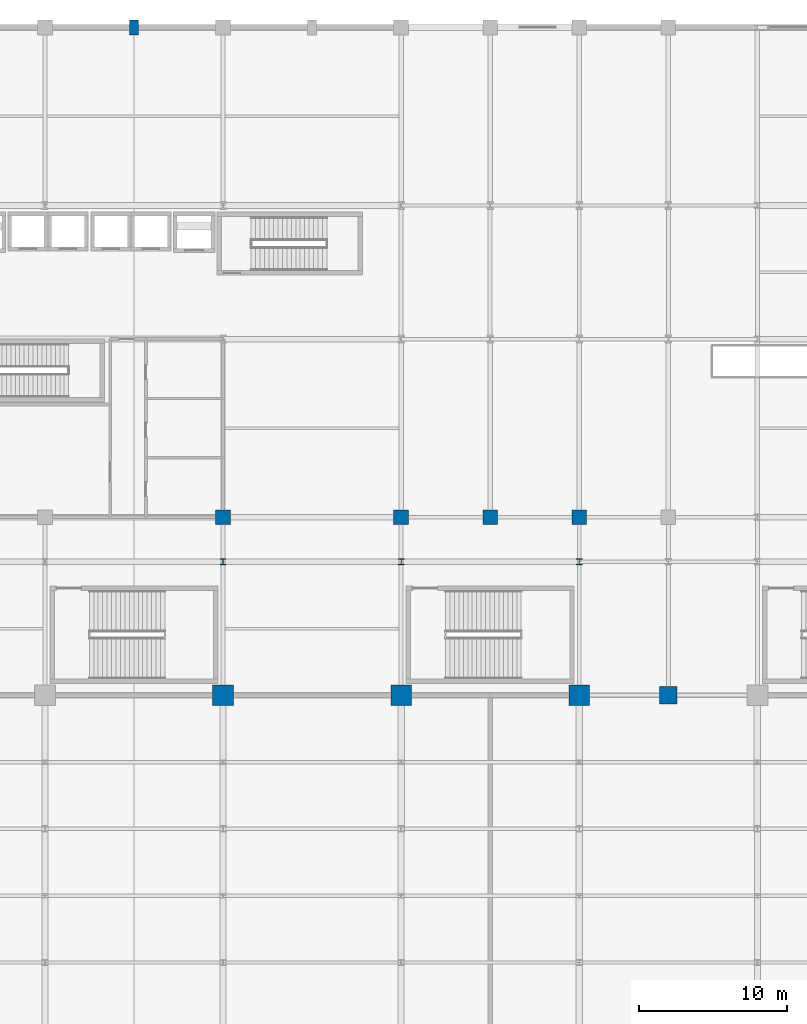
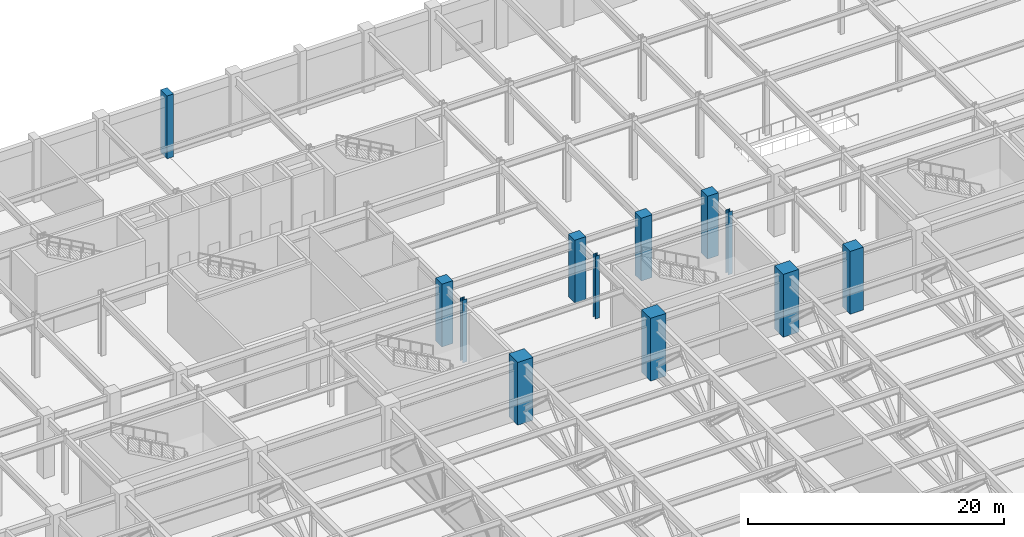
# One storey, part 10 of 108: 12 columns.
"""IFC4 building model written with IfcOpenShell, lengths in metres."""

from ifc_helpers import new_model, si_unit, direction, frame, origin, origin_2d, place, context, subcontext, project, spatial, rectangle, i_section, extrude, material, material_profile, profile_set, type_object, element, save


model = new_model("IFC4")

# Units and contexts
model_context = context("Model", 3, precision=1e-05, world=origin(), true_north=direction((0.0, 1.0)))
body_context = subcontext(model_context, "Body", "Model", "MODEL_VIEW")
ifc_project = project(units=[si_unit("LENGTHUNIT", "METRE"), si_unit("AREAUNIT", "SQUARE_METRE"), si_unit("VOLUMEUNIT", "CUBIC_METRE"), si_unit("PLANEANGLEUNIT", "RADIAN"), si_unit("MASSUNIT", "GRAM", prefix="KILO")], contexts=[model_context])

# Site, building, storey
site_placement = place(None, origin())
site = spatial("IfcSite", under=ifc_project, at=site_placement, CompositionType="ELEMENT")
building_placement = place(site_placement, origin())
building = spatial("IfcBuilding", under=site, at=building_placement, Name="Kaldorvane Square Convention Centre", CompositionType="ELEMENT")
storey_placement = place(building_placement, frame((0.0, 0.0, 12.0)))
storey = spatial("IfcBuildingStorey", under=building, at=storey_placement, Name="L02", CompositionType="ELEMENT", Elevation=12.0)

# Columns
ifc_material_1 = material(Name="Concrete f'c = 55 MPa (Normalweight)", Category="concrete")
ifc_material_profile_1 = material_profile(ifc_material_1, rectangle(XDim=1.1999969482421875, YDim=1.1999969482421875, at=origin_2d()), Name="RC1200X1200")
ifc_profile_set_1 = profile_set([ifc_material_profile_1], Name="Concrete f'c = 55 MPa (Normalweight)")
column_type_1 = type_object("IfcColumnType", Name="COL-MEGA-1200", PredefinedType="COLUMN", material=ifc_profile_set_1)
column_1_placement = place(storey_placement, frame((96.0, 72.0, 0.0), z_axis=(0.0, 0.0, 1.0), x_axis=(1.0, 0.0, 0.0)))
element("IfcColumn", 1, at=column_1_placement, inside=storey, type_object=column_type_1, Name="Column MC-02 (L02)", PredefinedType="COLUMN", context=body_context, shape_type="SweptSolid", body=[
    extrude(rectangle(XDim=1.1999969482421875, YDim=1.1999969482421875, at=origin_2d()), origin(), (0.0, 0.0, 1.0), 6.0),
])
ifc_material_profile_2 = material_profile(ifc_material_1, rectangle(XDim=1.399993896484375, YDim=1.399993896484375, at=origin_2d()), Name="RC1400X1400")
ifc_profile_set_2 = profile_set([ifc_material_profile_2], Name="Concrete f'c = 55 MPa (Normalweight)")
column_type_2 = type_object("IfcColumnType", Name="COL-MEGA-1400", PredefinedType="COLUMN", material=ifc_profile_set_2)
for number, where, z_axis, x_axis, name in (
    (2, (66.0, 72.0, 0.0), (0.0, 0.0, 1.0), (1.0, 0.0, 0.0), "Column MC-01 (L02)"),
    (3, (78.0, 72.0, 0.0), (0.0, 0.0, 1.0), (1.0, 0.0, 0.0), "Column MC-01 (L02)"),
    (4, (90.0, 72.0, 0.0), (0.0, 0.0, 1.0), (1.0, 0.0, 0.0), "Column MC-01 (L02)"),
):
    element("IfcColumn", number, at=place(storey_placement, frame(where, z_axis=z_axis, x_axis=x_axis)), inside=storey, type_object=column_type_2, Name=name, PredefinedType="COLUMN", context=body_context, shape_type="SweptSolid", body=[
        extrude(rectangle(XDim=1.399993896484375, YDim=1.399993896484375, at=origin_2d()), origin(), (0.0, 0.0, 1.0), 6.0),
    ])
ifc_material_profile_3 = material_profile(ifc_material_1, rectangle(XDim=1.0, YDim=1.0, at=origin_2d()), Name="RC1000X1000")
ifc_profile_set_3 = profile_set([ifc_material_profile_3], Name="Concrete f'c = 55 MPa (Normalweight)")
column_type_3 = type_object("IfcColumnType", Name="COL-RC-1000", PredefinedType="COLUMN", material=ifc_profile_set_3)
for number, where, z_axis, x_axis, name in (
    (5, (66.0, 84.0, 0.0), (0.0, 0.0, 1.0), (1.0, 0.0, 0.0), "Column CC-02 (L02)"),
    (6, (78.0, 84.0, 0.0), (0.0, 0.0, 1.0), (1.0, 0.0, 0.0), "Column CC-02 (L02)"),
    (7, (84.0, 84.0, 0.0), (0.0, 0.0, 1.0), (1.0, 0.0, 0.0), "Column CC-02 (L02)"),
    (8, (90.0, 84.0, 0.0), (0.0, 0.0, 1.0), (1.0, 0.0, 0.0), "Column CC-02 (L02)"),
):
    element("IfcColumn", number, at=place(storey_placement, frame(where, z_axis=z_axis, x_axis=x_axis)), inside=storey, type_object=column_type_3, Name=name, PredefinedType="COLUMN", context=body_context, shape_type="SweptSolid", body=[
        extrude(rectangle(XDim=1.0, YDim=1.0, at=origin_2d()), origin(), (0.0, 0.0, 1.0), 6.0),
    ])
ifc_material_2 = material(Name="Steel ASTM A992 Gr. 50", Category="steel")
ifc_material_profile_4 = material_profile(ifc_material_2, i_section(OverallWidth=0.393707275390625, OverallDepth=0.375396728515625, WebThickness=0.017303466796875, FlangeThickness=0.0276947021484375, FilletRadius=0.0305023193359375, at=origin_2d()), Name="W14X145")
ifc_profile_set_4 = profile_set([ifc_material_profile_4], Name="Steel ASTM A992 Gr. 50")
column_type_4 = type_object("IfcColumnType", Name="COL-STL-145", PredefinedType="COLUMN", material=ifc_profile_set_4)
for number, where, z_axis, x_axis, name in (
    (9, (66.0, 81.0, 0.0), (0.0, 0.0, 1.0), (1.0, 0.0, 0.0), "Column SC-10 (L02)"),
    (10, (78.0, 81.0, 0.0), (0.0, 0.0, 1.0), (1.0, 0.0, 0.0), "Column SC-10 (L02)"),
    (11, (90.0, 81.0, 0.0), (0.0, 0.0, 1.0), (1.0, 0.0, 0.0), "Column SC-10 (L02)"),
):
    element("IfcColumn", number, at=place(storey_placement, frame(where, z_axis=z_axis, x_axis=x_axis)), inside=storey, type_object=column_type_4, Name=name, PredefinedType="COLUMN", context=body_context, shape_type="SweptSolid", body=[
        extrude(i_section(OverallWidth=0.393707275390625, OverallDepth=0.375396728515625, WebThickness=0.017303466796875, FlangeThickness=0.0276947021484375, FilletRadius=0.0305023193359375, at=origin_2d()), origin(), (0.0, 0.0, 1.0), 6.0),
    ])
ifc_material_profile_5 = material_profile(ifc_material_1, rectangle(XDim=0.600006103515625, YDim=1.0, at=origin_2d()), Name="PIL1000X600")
ifc_profile_set_5 = profile_set([ifc_material_profile_5], Name="Concrete f'c = 55 MPa (Normalweight)")
column_type_5 = type_object("IfcColumnType", Name="PIL-BRUT-1000", PredefinedType="PILASTER", material=ifc_profile_set_5)
column_2_placement = place(storey_placement, frame((60.0, 117.0, 0.0), z_axis=(0.0, 0.0, 1.0), x_axis=(1.0, 0.0, 0.0)))
element("IfcColumn", 12, at=column_2_placement, inside=storey, type_object=column_type_5, Name="Brutalist Colonnade Pilaster (L02)", PredefinedType="PILASTER", context=body_context, shape_type="SweptSolid", body=[
    extrude(rectangle(XDim=0.600006103515625, YDim=1.0, at=origin_2d()), origin(), (0.0, 0.0, 1.0), 6.0),
])

save(model, "model.ifc")
